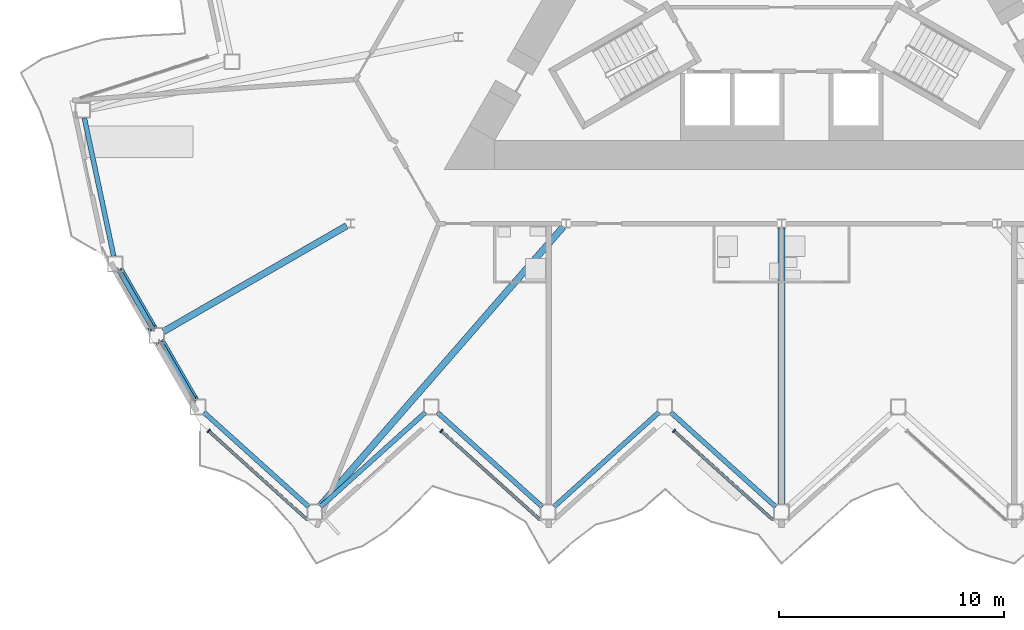
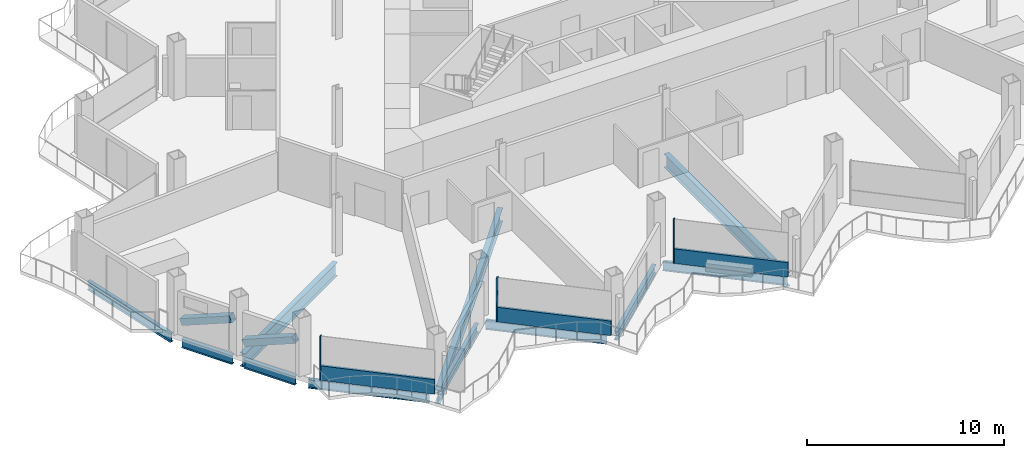
# One storey, part 4 of 24: 11 beams, 8 members, 3 elements without a shape of their own.
"""IFC4 building model written with IfcOpenShell, lengths in metres."""

from ifc_helpers import new_model, si_unit, direction, frame, origin, origin_2d, place, context, subcontext, project, spatial, rectangle, hollow_rectangle, i_section, extrude, material, layer, layer_set, material_profile, profile_set, type_object, element, aggregate, save


model = new_model("IFC4")

# Units and contexts
model_context = context("Model", 3, precision=1e-05, world=origin(), true_north=direction((0.0, 1.0)))
body_context = subcontext(model_context, "Body", "Model", "MODEL_VIEW")
ifc_project = project(units=[si_unit("LENGTHUNIT", "METRE"), si_unit("AREAUNIT", "SQUARE_METRE"), si_unit("VOLUMEUNIT", "CUBIC_METRE"), si_unit("PLANEANGLEUNIT", "RADIAN"), si_unit("MASSUNIT", "GRAM", prefix="KILO")], contexts=[model_context])

# Site, building, storey
site_placement = place(None, origin())
site = spatial("IfcSite", under=ifc_project, at=site_placement, CompositionType="ELEMENT")
building_placement = place(site_placement, origin())
building = spatial("IfcBuilding", under=site, at=building_placement, Name="Cormorant Prow Tower", CompositionType="ELEMENT")
storey_placement = place(building_placement, frame((0.0, 0.0, 234.60009765625)))
storey = spatial("IfcBuildingStorey", under=building, at=storey_placement, Name="L51", CompositionType="ELEMENT", Elevation=234.60009765625)

# Members
ifc_material_1 = material(Name="Structural steel ASTM A500 Gr C", Category="steel")
ifc_material_profile_1 = material_profile(ifc_material_1, hollow_rectangle(XDim=0.406494140625, YDim=0.406494140625, WallThickness=0.01171875, at=origin_2d()), Name="HSS16x16x1/2")
ifc_profile_set_1 = profile_set([ifc_material_profile_1], Name="Structural steel ASTM A500 Gr C")
member_type_1 = type_object("IfcMemberType", Name="Chamfer brace HSS16x16x1/2", PredefinedType="BRACE", material=ifc_profile_set_1)
for number, where, z_axis, x_axis, name in (
    (1, (-29.4287109375, -13.174560546875, 0.74951171875), (0.462773096913, -0.801606962687, 0.378506721399), (0.866041729639, 0.499971721724, 0.0), "Chamfer brace BR2 at WSW00 L51"),
    (2, (-27.593505859375, -16.353271484375, 0.74951171875), (0.462773096913, -0.801606962687, 0.378506721399), (0.866041729639, 0.499971721724, 0.0), "Chamfer brace BR2 at WSW01 L51"),
):
    element("IfcMember", number, at=place(storey_placement, frame(where, z_axis=z_axis, x_axis=x_axis)), inside=storey, type_object=member_type_1, Name=name, PredefinedType="BRACE", context=body_context, shape_type="SweptSolid", body=[
        extrude(hollow_rectangle(XDim=0.406494140625, YDim=0.406494140625, WallThickness=0.01171875, at=origin_2d()), origin(), (0.0, 0.0, 1.0), 3.17529296875),
    ])

# Curtain wall, member
ifc_material_2 = material(Name="Aluminium 6063-T6", Category="aluminium")
ifc_layer = layer(ifc_material_2, 0.179931640625)
ifc_layer_set = layer_set([ifc_layer], Name="Aluminium 6063-T6")
curtain_wall_type = type_object("IfcCurtainWallType", Name="Hotel unitised curtain wall 180", PredefinedType="NOTDEFINED", material=ifc_layer_set)
curtain_wall_1_placement = place(storey_placement, origin())
curtain_wall_1 = element("IfcCurtainWall", 3, at=curtain_wall_1_placement, inside=storey, type_object=curtain_wall_type, Name="Hotel curtain wall S00", PredefinedType="NOTDEFINED")
ifc_material_3 = material(Name="Aluminium 6063-T6", Category="aluminium")
ifc_material_profile_2 = material_profile(ifc_material_3, rectangle(XDim=0.179931640625, YDim=0.06005859375, at=origin_2d()), Name="Hotel mullion 60x180")
ifc_profile_set_2 = profile_set([ifc_material_profile_2], Name="Aluminium 6063-T6")
member_type_2 = type_object("IfcMemberType", Name="Hotel mullion 60x180", PredefinedType="MULLION", material=ifc_profile_set_2)
member_1_placement = place(storey_placement, frame((-25.46484375, -20.278076171875, 0.0), z_axis=(0.0, 0.0, 1.0), x_axis=(0.669130639913, 0.743144795265, 0.0)))
member_1 = element("IfcMember", 4, at=member_1_placement, type_object=member_type_2, Name="Hotel mullion S00", PredefinedType="MULLION", context=body_context, shape_type="SweptSolid", body=[
    extrude(rectangle(XDim=0.179931640625, YDim=0.06005859375, at=origin_2d()), origin(), (0.0, 0.0, 1.0), 2.70068359375),
])

curtain_wall_2_placement = place(storey_placement, origin())
curtain_wall_2 = element("IfcCurtainWall", 5, at=curtain_wall_2_placement, inside=storey, type_object=curtain_wall_type, Name="Hotel curtain wall S02", PredefinedType="NOTDEFINED")
member_2_placement = place(storey_placement, frame((-15.12109375, -20.278076171875, 0.0), z_axis=(0.0, 0.0, 1.0), x_axis=(0.669130639913, 0.743144795265, 0.0)))
member_2 = element("IfcMember", 6, at=member_2_placement, type_object=member_type_2, Name="Hotel mullion S02", PredefinedType="MULLION", context=body_context, shape_type="SweptSolid", body=[
    extrude(rectangle(XDim=0.179931640625, YDim=0.06005859375, at=origin_2d()), origin(), (0.0, 0.0, 1.0), 2.70068359375),
])

curtain_wall_3_placement = place(storey_placement, origin())
curtain_wall_3 = element("IfcCurtainWall", 7, at=curtain_wall_3_placement, inside=storey, type_object=curtain_wall_type, Name="Hotel curtain wall S04", PredefinedType="NOTDEFINED")
member_3_placement = place(storey_placement, frame((-4.77734375, -20.278076171875, 0.0), z_axis=(0.0, 0.0, 1.0), x_axis=(0.669130568473, 0.74314485959, 0.0)))
member_3 = element("IfcMember", 8, at=member_3_placement, type_object=member_type_2, Name="Hotel mullion S04", PredefinedType="MULLION", context=body_context, shape_type="SweptSolid", body=[
    extrude(rectangle(XDim=0.179931640625, YDim=0.06005859375, at=origin_2d()), origin(), (0.0, 0.0, 1.0), 2.70068359375),
])

# Member
ifc_material_4 = material(Name="Terracotta", Category="masonry")
ifc_material_profile_3 = material_profile(ifc_material_4, rectangle(XDim=0.139892578125, YDim=0.89990234375, at=origin_2d()), Name="Hotel terracotta spandrel rail 140x900")
ifc_profile_set_3 = profile_set([ifc_material_profile_3], Name="Terracotta")
member_type_3 = type_object("IfcMemberType", Name="Hotel terracotta spandrel rail 140x900", PredefinedType="USERDEFINED", material=ifc_profile_set_3)
member_4_placement = place(storey_placement, frame((-25.442626953125, -20.29833984375, 0.449951171875), z_axis=(0.743166509731, -0.669106522771, 0.0), x_axis=(0.669106522771, 0.743166509731, 0.0)))
member_4 = element("IfcMember", 9, at=member_4_placement, type_object=member_type_3, Name="Hotel spandrel rail S00", ObjectType="TRANSOM", PredefinedType="USERDEFINED", context=body_context, shape_type="SweptSolid", body=[
    extrude(rectangle(XDim=0.139892578125, YDim=0.89990234375, at=origin_2d()), origin(), (0.0, 0.0, 1.0), 5.8974609375),
])

aggregate(curtain_wall_1, [member_1, member_4])

member_5_placement = place(storey_placement, frame((-15.098876953125, -20.29833984375, 0.449951171875), z_axis=(0.743166509731, -0.669106522771, 0.0), x_axis=(0.669106522771, 0.743166509731, 0.0)))
member_5 = element("IfcMember", 10, at=member_5_placement, type_object=member_type_3, Name="Hotel spandrel rail S02", ObjectType="TRANSOM", PredefinedType="USERDEFINED", context=body_context, shape_type="SweptSolid", body=[
    extrude(rectangle(XDim=0.139892578125, YDim=0.89990234375, at=origin_2d()), origin(), (0.0, 0.0, 1.0), 5.8974609375),
])

aggregate(curtain_wall_2, [member_2, member_5])

member_6_placement = place(storey_placement, frame((-4.7548828125, -20.29833984375, 0.449951171875), z_axis=(0.743147975104, -0.669127108328, 0.0), x_axis=(0.669127108328, 0.743147975104, 0.0)))
member_6 = element("IfcMember", 11, at=member_6_placement, type_object=member_type_3, Name="Hotel spandrel rail S04", ObjectType="TRANSOM", PredefinedType="USERDEFINED", context=body_context, shape_type="SweptSolid", body=[
    extrude(rectangle(XDim=0.139892578125, YDim=0.89990234375, at=origin_2d()), origin(), (0.0, 0.0, 1.0), 5.897216796875),
])

aggregate(curtain_wall_3, [member_3, member_6])

# Beams
ifc_material_5 = material(Name="Structural steel ASTM A992 Gr 50", Category="steel")
ifc_material_profile_4 = material_profile(ifc_material_5, i_section(OverallWidth=0.29296875, OverallDepth=0.845703125, WebThickness=0.015380859375, FlangeThickness=0.0244140625, at=origin_2d()), Name="W33x141")
ifc_profile_set_4 = profile_set([ifc_material_profile_4], Name="Structural steel ASTM A992 Gr 50")
beam_type_1 = type_object("IfcBeamType", Name="Radial floor beam W33x141", PredefinedType="BEAM", material=ifc_profile_set_4)
beam_1_placement = place(storey_placement, frame((-19.32958984375, -11.159912109375, -0.77294921875), z_axis=(-0.866021726843, -0.500006368596, 0.0), x_axis=(0.500006368596, -0.866021726843, 0.0)))
element("IfcBeam", 12, at=beam_1_placement, inside=storey, type_object=beam_type_1, Name="Radial floor beam FB2 5 L51", PredefinedType="BEAM", context=body_context, shape_type="SweptSolid", body=[
    extrude(i_section(OverallWidth=0.29296875, OverallDepth=0.845703125, WebThickness=0.015380859375, FlangeThickness=0.0244140625, at=origin_2d()), origin(), (0.0, 0.0, 1.0), 9.40380859375),
])
beam_2_placement = place(storey_placement, frame((-9.70947265625, -11.210693359375, -0.77294921875), z_axis=(-0.656874593387, -0.753999846527, 0.0), x_axis=(0.753999846527, -0.656874593387, 0.0)))
element("IfcBeam", 13, at=beam_2_placement, inside=storey, type_object=beam_type_1, Name="Radial floor beam FB2 6 L51", PredefinedType="BEAM", context=body_context, shape_type="SweptSolid", body=[
    extrude(i_section(OverallWidth=0.29296875, OverallDepth=0.845703125, WebThickness=0.015380859375, FlangeThickness=0.0244140625, at=origin_2d()), origin(), (0.0, 0.0, 1.0), 16.4619140625),
])
beam_3_placement = place(storey_placement, frame((0.0, -11.259765625, -0.77294921875), z_axis=(0.0, -1.0, 0.0), x_axis=(1.0, 0.0, 0.0)))
element("IfcBeam", 14, at=beam_3_placement, inside=storey, type_object=beam_type_1, Name="Radial floor beam FB2 7 L51", PredefinedType="BEAM", context=body_context, shape_type="SweptSolid", body=[
    extrude(i_section(OverallWidth=0.29296875, OverallDepth=0.845703125, WebThickness=0.015380859375, FlangeThickness=0.0244140625, at=origin_2d()), origin(), (0.0, 0.0, 1.0), 12.277099609375),
])
ifc_material_6 = material(Name="Structural steel ASTM A992 Gr 50", Category="steel")
ifc_material_profile_5 = material_profile(ifc_material_6, i_section(OverallWidth=0.2138671875, OverallDepth=0.549072265625, WebThickness=0.0146484375, FlangeThickness=0.023681640625, at=origin_2d()), Name="W21x93")
ifc_profile_set_5 = profile_set([ifc_material_profile_5], Name="Structural steel ASTM A992 Gr 50")
beam_type_2 = type_object("IfcBeamType", Name="Spandrel beam W21x93", PredefinedType="SPANDREL", material=ifc_profile_set_5)
for number, where, z_axis, x_axis, name in (
    (15, (-25.68115234375, -19.44970703125, -0.624755859375), (0.743156918576, -0.669117175368, 0.0), (0.669117175368, 0.743156918576, 0.0), "Spandrel beam SB2 S00-S01 L51"),
    (16, (-20.492919921875, -23.65283203125, -0.624755859375), (0.743156918576, 0.669117175368, 0.0), (-0.669117175368, 0.743156918576, 0.0), "Spandrel beam SB2 S01-S02 L51"),
    (17, (-15.3046875, -19.44970703125, -0.624755859375), (0.743156918576, -0.669117175368, 0.0), (0.669117175368, 0.743156918576, 0.0), "Spandrel beam SB2 S02-S03 L51"),
    (18, (-10.116455078125, -23.65283203125, -0.624755859375), (0.743156918576, 0.669117175368, 0.0), (-0.669117175368, 0.743156918576, 0.0), "Spandrel beam SB2 S03-S04 L51"),
    (19, (-4.92822265625, -19.44970703125, -0.624755859375), (0.743156918576, -0.669117175368, 0.0), (0.669117175368, 0.743156918576, 0.0), "Spandrel beam SB2 S04-S05 L51"),
):
    element("IfcBeam", number, at=place(storey_placement, frame(where, z_axis=z_axis, x_axis=x_axis)), inside=storey, type_object=beam_type_2, Name=name, PredefinedType="SPANDREL", context=body_context, shape_type="SweptSolid", body=[
        extrude(i_section(OverallWidth=0.2138671875, OverallDepth=0.549072265625, WebThickness=0.0146484375, FlangeThickness=0.023681640625, at=origin_2d()), origin(), (0.0, 0.0, 1.0), 6.281494140625),
    ])
beam_4_placement = place(storey_placement, frame((-30.990478515625, -6.37158203125, -0.624755859375), z_axis=(0.207941499013, -0.978141264331, 0.0), x_axis=(0.978141264331, 0.207941499013, 0.0)))
element("IfcBeam", 20, at=beam_4_placement, inside=storey, type_object=beam_type_2, Name="Spandrel beam SB2 WNW09-WSW00 L51", PredefinedType="SPANDREL", context=body_context, shape_type="SweptSolid", body=[
    extrude(i_section(OverallWidth=0.2138671875, OverallDepth=0.549072265625, WebThickness=0.0146484375, FlangeThickness=0.023681640625, at=origin_2d()), origin(), (0.0, 0.0, 1.0), 6.28125),
])
for number, where, z_axis, x_axis, name in (
    (21, (-29.4365234375, -13.1611328125, -0.624755859375), (0.499966725515, -0.866044613965, 0.0), (0.866044613965, 0.499966725515, 0.0), "Spandrel beam SB2 WSW00-WSW01 L51"),
    (22, (-27.601318359375, -16.33984375, -0.624755859375), (0.499966725515, -0.866044613965, 0.0), (0.866044613965, 0.499966725515, 0.0), "Spandrel beam SB2 WSW01-S00 L51"),
):
    element("IfcBeam", number, at=place(storey_placement, frame(where, z_axis=z_axis, x_axis=x_axis)), inside=storey, type_object=beam_type_2, Name=name, PredefinedType="SPANDREL", context=body_context, shape_type="SweptSolid", body=[
        extrude(i_section(OverallWidth=0.2138671875, OverallDepth=0.549072265625, WebThickness=0.0146484375, FlangeThickness=0.023681640625, at=origin_2d()), origin(), (0.0, 0.0, 1.0), 2.970458984375),
    ])

save(model, "model.ifc")
